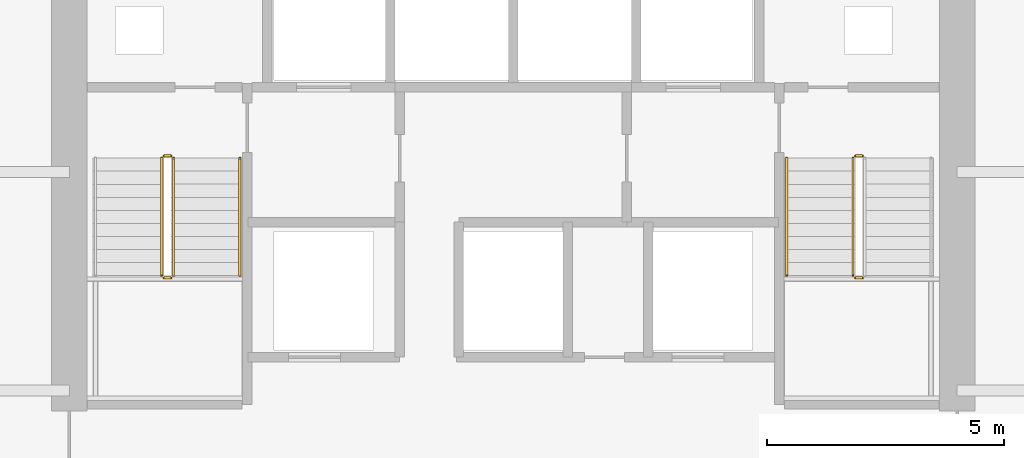
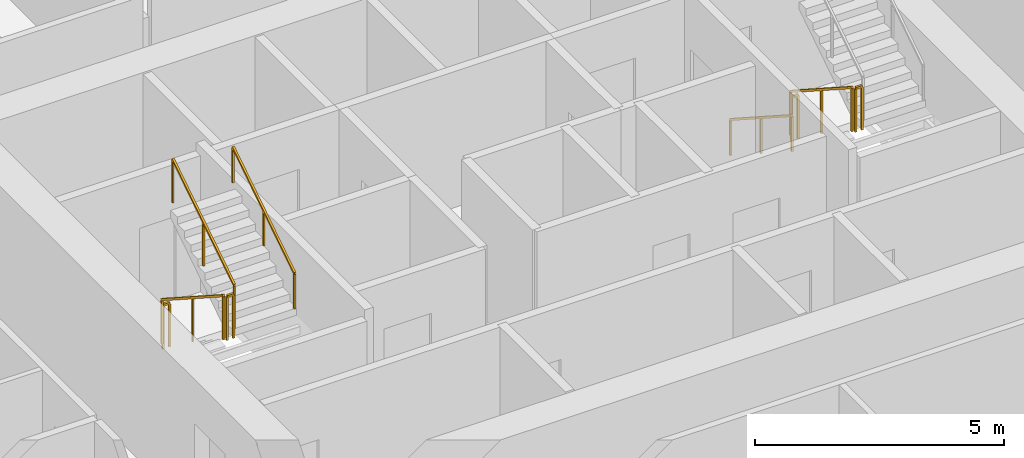
# One storey, part 11 of 12: 9 railings.
"""IFC4 building model written with IfcOpenShell, lengths in metres."""

from ifc_helpers import new_model, si_unit, direction, frame, origin, origin_2d, place, context, subcontext, project, spatial, rectangle, extrude, material, type_object, element, save


model = new_model("IFC4")

# Units and contexts
model_context = context("Model", 3, precision=1e-05, world=origin(), true_north=direction((0.0, 1.0)))
body_context = subcontext(model_context, "Body", "Model", "MODEL_VIEW")
ifc_project = project(units=[si_unit("LENGTHUNIT", "METRE"), si_unit("AREAUNIT", "SQUARE_METRE"), si_unit("VOLUMEUNIT", "CUBIC_METRE"), si_unit("PLANEANGLEUNIT", "RADIAN"), si_unit("MASSUNIT", "GRAM", prefix="KILO")], contexts=[model_context])

# Site, building, storey
site_placement = place(None, origin())
site = spatial("IfcSite", under=ifc_project, at=site_placement, CompositionType="ELEMENT")
building_placement = place(site_placement, origin())
building = spatial("IfcBuilding", under=site, at=building_placement, Name="Cinnabar Lancet Tower", CompositionType="ELEMENT")
storey_placement = place(building_placement, frame((0.0, 0.0, 137.449951171875)))
storey = spatial("IfcBuildingStorey", under=building, at=storey_placement, Name="L36", CompositionType="ELEMENT", Elevation=137.449951171875)

# Railings
ifc_material_1 = material(Name="Painted galvanized steel balustrade", Category="steel")
railing_type_1 = type_object("IfcRailingType", Name="GUARD-STAIR", PredefinedType="GUARDRAIL", material=ifc_material_1)
railing_1_placement = place(storey_placement, frame((24.97509765625, 28.39990234375, 0.177490234375)))
element("IfcRailing", 1, at=railing_1_placement, inside=storey, type_object=railing_type_1, Name="L36 ST-1 stair guard 1", PredefinedType="GUARDRAIL", context=body_context, shape_type="SweptSolid", body=[
    extrude(rectangle(XDim=0.048095703125, YDim=0.048095703125, at=origin_2d()), frame((0.0, 0.0, 1.076171875), z_axis=(0.0, -0.84014559416, 0.542360932049), x_axis=(1.0, 0.0, 0.0)), (0.0, 0.0, 1.0), 2.94580078125),
    extrude(rectangle(XDim=0.0419921875, YDim=0.0419921875, at=origin_2d()), origin(), (0.0, 0.0, 1.0), 1.052001953125),
    extrude(rectangle(XDim=0.0419921875, YDim=0.0419921875, at=origin_2d()), frame((0.0, -1.2373046875, 0.798828125)), (0.0, 0.0, 1.0), 1.052001953125),
    extrude(rectangle(XDim=0.0419921875, YDim=0.0419921875, at=origin_2d()), frame((0.0, -2.474853515625, 1.59765625)), (0.0, 0.0, 1.0), 1.052001953125),
])
railing_2_placement = place(storey_placement, frame((25.02490234375, 25.875, 1.775146484375)))
element("IfcRailing", 2, at=railing_2_placement, inside=storey, type_object=railing_type_1, Name="L36 ST-1 stair guard 2", PredefinedType="GUARDRAIL", context=body_context, shape_type="SweptSolid", body=[
    extrude(rectangle(XDim=0.048095703125, YDim=0.048095703125, at=origin_2d()), frame((0.0, 0.0, 1.076171875), z_axis=(1.0, 0.0, 0.0), x_axis=(0.0, 1.0, 0.0)), (0.0, 0.0, 1.0), 0.150146484375),
    extrude(rectangle(XDim=0.0419921875, YDim=0.0419921875, at=origin_2d()), origin(), (0.0, 0.0, 1.0), 1.052001953125),
    extrude(rectangle(XDim=0.0419921875, YDim=0.0419921875, at=origin_2d()), frame((0.150146484375, 0.0, 0.0)), (0.0, 0.0, 1.0), 1.052001953125),
])
railing_3_placement = place(storey_placement, frame((25.22509765625, 25.925048828125, 1.95263671875)))
element("IfcRailing", 3, at=railing_3_placement, inside=storey, type_object=railing_type_1, Name="L36 ST-1 stair guard 3", PredefinedType="GUARDRAIL", context=body_context, shape_type="SweptSolid", body=[
    extrude(rectangle(XDim=0.048095703125, YDim=0.048095703125, at=origin_2d()), frame((0.0, 0.0, 1.076171875), z_axis=(0.0, 0.840183358697, 0.542302428327), x_axis=(-1.0, 0.0, 0.0)), (0.0, 0.0, 1.0), 2.945556640625),
    extrude(rectangle(XDim=0.0419921875, YDim=0.0419921875, at=origin_2d()), origin(), (0.0, 0.0, 1.0), 1.052001953125),
    extrude(rectangle(XDim=0.0419921875, YDim=0.0419921875, at=origin_2d()), frame((0.0, 1.2373046875, 0.798828125)), (0.0, 0.0, 1.0), 1.052001953125),
    extrude(rectangle(XDim=0.0419921875, YDim=0.0419921875, at=origin_2d()), frame((0.0, 2.474853515625, 1.597412109375)), (0.0, 0.0, 1.0), 1.052001953125),
])
railing_4_placement = place(storey_placement, frame((25.02490234375, 28.449951171875, 0.0)))
element("IfcRailing", 4, at=railing_4_placement, inside=storey, type_object=railing_type_1, Name="L36 ST-1 stair guard 4", PredefinedType="GUARDRAIL", context=body_context, shape_type="SweptSolid", body=[
    extrude(rectangle(XDim=0.048095703125, YDim=0.048095703125, at=origin_2d()), frame((0.0, 0.0, 1.076171875), z_axis=(1.0, 0.0, 0.0), x_axis=(0.0, 1.0, 0.0)), (0.0, 0.0, 1.0), 0.150146484375),
    extrude(rectangle(XDim=0.0419921875, YDim=0.0419921875, at=origin_2d()), origin(), (0.0, 0.0, 1.0), 1.052001953125),
    extrude(rectangle(XDim=0.0419921875, YDim=0.0419921875, at=origin_2d()), frame((0.150146484375, 0.0, 0.0)), (0.0, 0.0, 1.0), 1.052001953125),
])
railing_5_placement = place(storey_placement, frame((39.574951171875, 28.39990234375, 0.177490234375)))
element("IfcRailing", 5, at=railing_5_placement, inside=storey, type_object=railing_type_1, Name="L36 ST-2 stair guard 1", PredefinedType="GUARDRAIL", context=body_context, shape_type="SweptSolid", body=[
    extrude(rectangle(XDim=0.048095703125, YDim=0.048095703125, at=origin_2d()), frame((0.0, 0.0, 1.076171875), z_axis=(0.0, -0.84014559416, 0.542360932049), x_axis=(1.0, 0.0, 0.0)), (0.0, 0.0, 1.0), 2.94580078125),
    extrude(rectangle(XDim=0.0419921875, YDim=0.0419921875, at=origin_2d()), origin(), (0.0, 0.0, 1.0), 1.052001953125),
    extrude(rectangle(XDim=0.0419921875, YDim=0.0419921875, at=origin_2d()), frame((0.0, -1.2373046875, 0.798828125)), (0.0, 0.0, 1.0), 1.052001953125),
    extrude(rectangle(XDim=0.0419921875, YDim=0.0419921875, at=origin_2d()), frame((0.0, -2.474853515625, 1.59765625)), (0.0, 0.0, 1.0), 1.052001953125),
])
for number, where, name in (
    (6, (39.625, 25.875, 1.775146484375), "L36 ST-2 stair guard 2"),
    (7, (39.625, 28.449951171875, 0.0), "L36 ST-2 stair guard 4"),
):
    element("IfcRailing", number, at=place(storey_placement, frame(where)), inside=storey, type_object=railing_type_1, Name=name, PredefinedType="GUARDRAIL", context=body_context, shape_type="SweptSolid", body=[
        extrude(rectangle(XDim=0.048095703125, YDim=0.048095703125, at=origin_2d()), frame((0.0, 0.0, 1.076171875), z_axis=(1.0, 0.0, 0.0), x_axis=(0.0, 1.0, 0.0)), (0.0, 0.0, 1.0), 0.14990234375),
        extrude(rectangle(XDim=0.0419921875, YDim=0.0419921875, at=origin_2d()), origin(), (0.0, 0.0, 1.0), 1.052001953125),
        extrude(rectangle(XDim=0.0419921875, YDim=0.0419921875, at=origin_2d()), frame((0.14990234375, 0.0, 0.0)), (0.0, 0.0, 1.0), 1.052001953125),
    ])
ifc_material_2 = material(Name="Brushed stainless steel handrail", Category="steel")
railing_type_2 = type_object("IfcRailingType", Name="HANDRAIL-STAIR", PredefinedType="HANDRAIL", material=ifc_material_2)
railing_6_placement = place(storey_placement, frame((26.625, 25.925048828125, 1.95263671875)))
element("IfcRailing", 8, at=railing_6_placement, inside=storey, type_object=railing_type_2, Name="L36 ST-1 stair handrail 2", PredefinedType="HANDRAIL", context=body_context, shape_type="SweptSolid", body=[
    extrude(rectangle(XDim=0.048095703125, YDim=0.048095703125, at=origin_2d()), frame((0.0, 0.0, 0.8759765625), z_axis=(0.0, 0.840183358697, 0.542302428327), x_axis=(-1.0, 0.0, 0.0)), (0.0, 0.0, 1.0), 2.945556640625),
    extrude(rectangle(XDim=0.0419921875, YDim=0.0419921875, at=origin_2d()), origin(), (0.0, 0.0, 1.0), 0.851806640625),
    extrude(rectangle(XDim=0.0419921875, YDim=0.0419921875, at=origin_2d()), frame((0.0, 1.2373046875, 0.798828125)), (0.0, 0.0, 1.0), 0.851806640625),
    extrude(rectangle(XDim=0.0419921875, YDim=0.0419921875, at=origin_2d()), frame((0.0, 2.474853515625, 1.597412109375)), (0.0, 0.0, 1.0), 0.851806640625),
])
railing_7_placement = place(storey_placement, frame((38.175048828125, 28.39990234375, 0.177490234375)))
element("IfcRailing", 9, at=railing_7_placement, inside=storey, type_object=railing_type_2, Name="L36 ST-2 stair handrail 1", PredefinedType="HANDRAIL", context=body_context, shape_type="SweptSolid", body=[
    extrude(rectangle(XDim=0.048095703125, YDim=0.048095703125, at=origin_2d()), frame((0.0, 0.0, 0.8759765625), z_axis=(0.0, -0.84014559416, 0.542360932049), x_axis=(1.0, 0.0, 0.0)), (0.0, 0.0, 1.0), 2.94580078125),
    extrude(rectangle(XDim=0.0419921875, YDim=0.0419921875, at=origin_2d()), origin(), (0.0, 0.0, 1.0), 0.851806640625),
    extrude(rectangle(XDim=0.0419921875, YDim=0.0419921875, at=origin_2d()), frame((0.0, -1.2373046875, 0.798828125)), (0.0, 0.0, 1.0), 0.851806640625),
    extrude(rectangle(XDim=0.0419921875, YDim=0.0419921875, at=origin_2d()), frame((0.0, -2.474853515625, 1.59765625)), (0.0, 0.0, 1.0), 0.851806640625),
])

save(model, "model.ifc")
